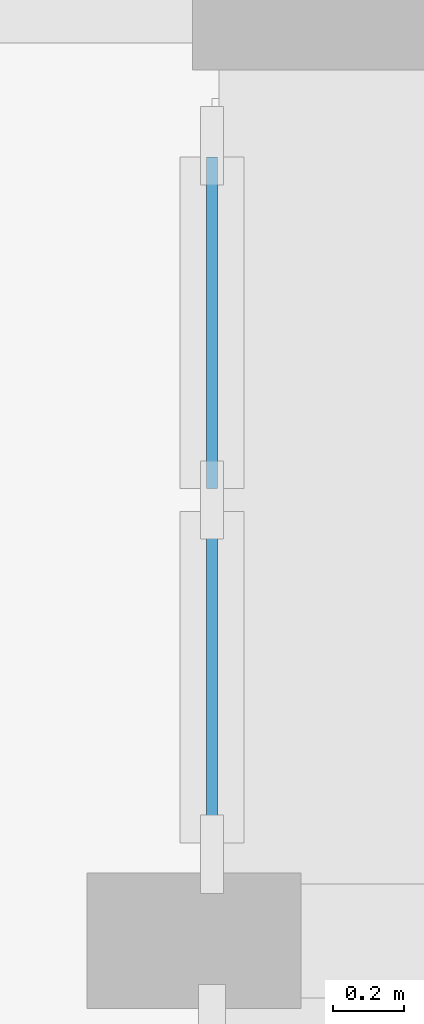
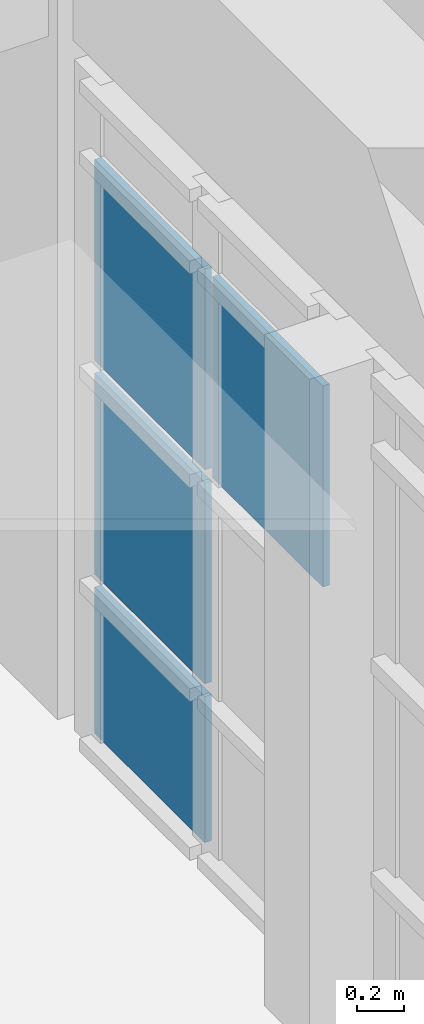
# One storey, part 93 of 155: 4 plates, 1 element without a shape of its own.
"""IFC4 building model written with IfcOpenShell, lengths in metres."""

from ifc_helpers import new_model, si_unit, direction, frame, origin, origin_2d, place, context, subcontext, project, spatial, rectangle, extrude, material, layer, layer_set, type_object, element, aggregate, save


model = new_model("IFC4")

# Units and contexts
model_context = context("Model", 3, precision=1e-05, world=origin(), true_north=direction((0.0, 1.0)))
body_context = subcontext(model_context, "Body", "Model", "MODEL_VIEW")
ifc_project = project(units=[si_unit("LENGTHUNIT", "METRE"), si_unit("AREAUNIT", "SQUARE_METRE"), si_unit("VOLUMEUNIT", "CUBIC_METRE"), si_unit("PLANEANGLEUNIT", "RADIAN"), si_unit("MASSUNIT", "GRAM", prefix="KILO")], contexts=[model_context])

# Site, building, storey
site_placement = place(None, origin())
site = spatial("IfcSite", under=ifc_project, at=site_placement, CompositionType="ELEMENT")
building_placement = place(site_placement, origin())
building = spatial("IfcBuilding", under=site, at=building_placement, Name="Tazarka Park Arena", CompositionType="ELEMENT")
storey_placement = place(building_placement, frame((0.0, 0.0, 5.39990234375)))
storey = spatial("IfcBuildingStorey", under=building, at=storey_placement, Name="L01", CompositionType="ELEMENT", Elevation=5.39990234375)

# Curtain wall, plates
ifc_material_1 = material(Name="Aluminium and low-e glass", Category="aluminium")
ifc_layer_1 = layer(ifc_material_1, 0.179931640625, Name="Aluminium and low-e glass")
ifc_layer_set_1 = layer_set([ifc_layer_1], Name="Aluminium and low-e glass")
curtain_wall_type = type_object("IfcCurtainWallType", Name="CW-16", PredefinedType="NOTDEFINED", material=ifc_layer_set_1)
curtain_wall_placement = place(storey_placement, origin())
curtain_wall = element("IfcCurtainWall", 1, at=curtain_wall_placement, inside=storey, type_object=curtain_wall_type, Name="Curtain Wall CWA-L01-106", PredefinedType="NOTDEFINED")
ifc_material_2 = material(Name="Triple acoustic solar glazing", Category="glass")
ifc_layer_2 = layer(ifc_material_2, 0.031982421875, Name="Triple acoustic solar glazing")
ifc_layer_set_2 = layer_set([ifc_layer_2], Name="Triple acoustic solar glazing")
plate_type = type_object("IfcPlateType", Name="CWP-02", PredefinedType="CURTAIN_PANEL", material=ifc_layer_set_2)
plate_1_placement = place(storey_placement, frame((39.679931640625, 54.91552734375, 0.065185546875), z_axis=(0.0, 0.0, 1.0), x_axis=(0.0, -1.0, 0.0)))
plate_1 = element("IfcPlate", 2, at=plate_1_placement, type_object=plate_type, Name="CW-16 panel 1.1", PredefinedType="CURTAIN_PANEL", context=body_context, shape_type="SweptSolid", body=[
    extrude(rectangle(XDim=0.92919921875, YDim=0.031982421875, at=origin_2d()), origin(), (0.0, 0.0, 1.0), 0.75244140625),
])
plate_2_placement = place(storey_placement, frame((39.679931640625, 54.91552734375, 0.8828125), z_axis=(0.0, 0.0, 1.0), x_axis=(0.0, -1.0, 0.0)))
plate_2 = element("IfcPlate", 3, at=plate_2_placement, type_object=plate_type, Name="CW-16 panel 1.2", PredefinedType="CURTAIN_PANEL", context=body_context, shape_type="SweptSolid", body=[
    extrude(rectangle(XDim=0.92919921875, YDim=0.031982421875, at=origin_2d()), origin(), (0.0, 0.0, 1.0), 1.034912109375),
])
plate_3_placement = place(storey_placement, frame((39.679931640625, 54.91552734375, 1.982421875), z_axis=(0.0, 0.0, 1.0), x_axis=(0.0, -1.0, 0.0)))
plate_3 = element("IfcPlate", 4, at=plate_3_placement, type_object=plate_type, Name="CW-16 panel 1.3", PredefinedType="CURTAIN_PANEL", context=body_context, shape_type="SweptSolid", body=[
    extrude(rectangle(XDim=0.92919921875, YDim=0.031982421875, at=origin_2d()), origin(), (0.0, 0.0, 1.0), 1.034912109375),
])
plate_4_placement = place(storey_placement, frame((39.679931640625, 53.92138671875, 1.982421875), z_axis=(0.0, 0.0, 1.0), x_axis=(0.0, -1.0, 0.0)))
plate_4 = element("IfcPlate", 5, at=plate_4_placement, type_object=plate_type, Name="CW-16 panel 2.3", PredefinedType="CURTAIN_PANEL", context=body_context, shape_type="SweptSolid", body=[
    extrude(rectangle(XDim=0.92919921875, YDim=0.031982421875, at=origin_2d()), origin(), (0.0, 0.0, 1.0), 1.034912109375),
])
aggregate(curtain_wall, [plate_1, plate_2, plate_3, plate_4])

save(model, "model.ifc")
